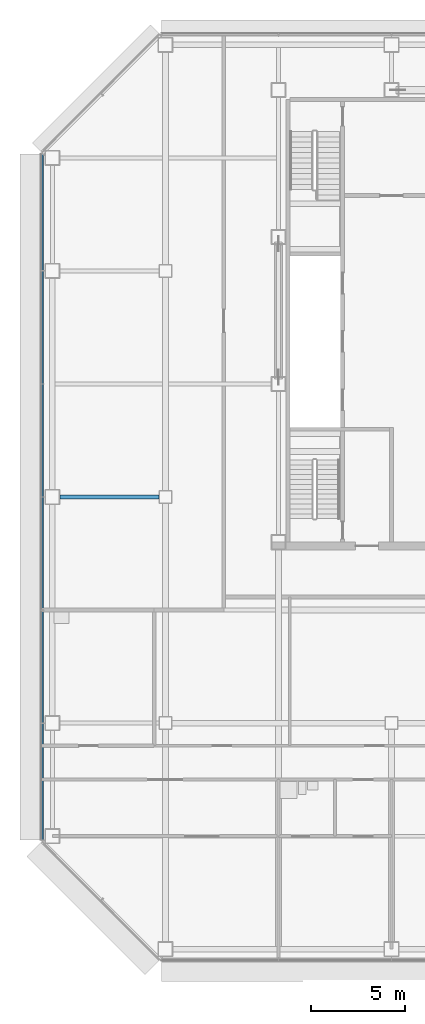
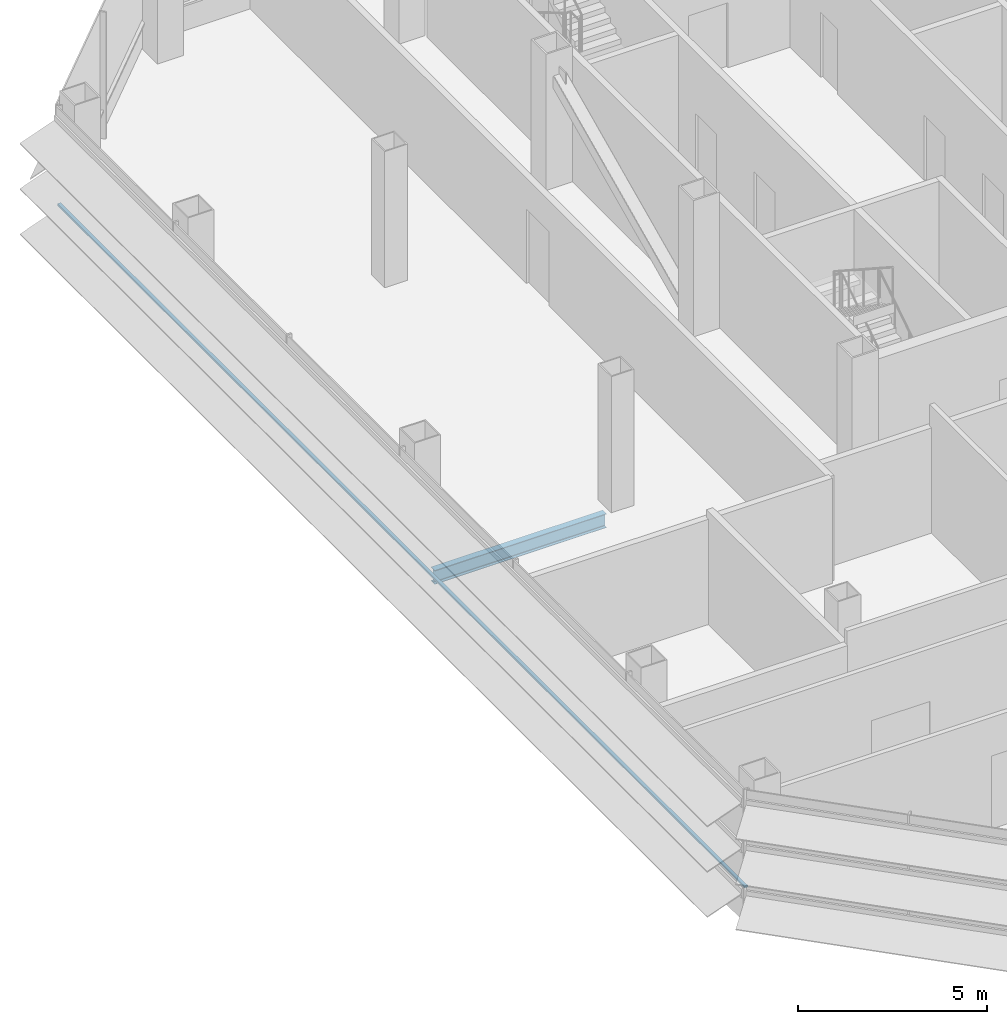
# One storey, part 6 of 28: 1 beam, 1 member, 1 element without a shape of its own.
"""IFC4 building model written with IfcOpenShell, lengths in metres."""

from ifc_helpers import new_model, si_unit, direction, frame, origin, origin_2d, place, context, subcontext, project, spatial, rectangle, i_section, extrude, material, material_profile, profile_set, type_object, element, aggregate, save


model = new_model("IFC4")

# Units and contexts
model_context = context("Model", 3, precision=1e-05, world=origin(), true_north=direction((0.0, 1.0)))
body_context = subcontext(model_context, "Body", "Model", "MODEL_VIEW")
ifc_project = project(units=[si_unit("LENGTHUNIT", "METRE"), si_unit("AREAUNIT", "SQUARE_METRE"), si_unit("VOLUMEUNIT", "CUBIC_METRE"), si_unit("PLANEANGLEUNIT", "RADIAN"), si_unit("MASSUNIT", "GRAM", prefix="KILO")], contexts=[model_context])

# Site, building, storey
site_placement = place(None, origin())
site = spatial("IfcSite", under=ifc_project, at=site_placement, CompositionType="ELEMENT")
building_placement = place(site_placement, origin())
building = spatial("IfcBuilding", under=site, at=building_placement, Name="Sorahane Residences", CompositionType="ELEMENT")
storey_placement = place(building_placement, frame((0.0, 0.0, 134.0)))
storey = spatial("IfcBuildingStorey", under=building, at=storey_placement, Name="L30", CompositionType="ELEMENT", Elevation=134.0)

# Curtain wall, member
ifc_material_1 = material(Name="Dark low-e glass and black anodised aluminium", Category="aluminium")
curtain_wall_type = type_object("IfcCurtainWallType", Name="Curtain wall CW-1 Typical unitised wall", PredefinedType="NOTDEFINED", material=ifc_material_1)
curtain_wall_placement = place(storey_placement, origin())
curtain_wall = element("IfcCurtainWall", 1, at=curtain_wall_placement, inside=storey, type_object=curtain_wall_type, Name="CW-1 curtain wall L30 W1", PredefinedType="NOTDEFINED")
ifc_material_2 = material(Name="Black anodised aluminium", Category="aluminium")
ifc_material_profile_1 = material_profile(ifc_material_2, rectangle(XDim=0.10009765625, YDim=0.06005859375, at=origin_2d()), Name="Curtain wall transom CW-1 black anodised aluminium 60x100")
ifc_profile_set_1 = profile_set([ifc_material_profile_1], Name="Black anodised aluminium")
member_type = type_object("IfcMemberType", Name="Curtain wall transom CW-1 black anodised aluminium 60x100", PredefinedType="USERDEFINED", material=ifc_profile_set_1)
member_placement = place(storey_placement, frame((-6.530029296875, 42.198486328125, 0.89990234375), z_axis=(0.0, -1.0, 0.0), x_axis=(1.0, 0.0, 0.0)))
member = element("IfcMember", 2, at=member_placement, type_object=member_type, Name="CW-1 transom L30 W1", ObjectType="TRANSOM", PredefinedType="USERDEFINED", context=body_context, shape_type="SweptSolid", body=[
    extrude(rectangle(XDim=0.10009765625, YDim=0.06005859375, at=origin_2d()), origin(), (0.0, 0.0, 1.0), 36.39697265625),
])
aggregate(curtain_wall, [member])

# Beam
ifc_material_3 = material(Name="Steel Q355B", Category="steel")
ifc_material_profile_2 = material_profile(ifc_material_3, i_section(OverallWidth=0.199951171875, OverallDepth=0.449951171875, WebThickness=0.009033203125, FlangeThickness=0.013916015625, FilletRadius=0.02001953125, at=origin_2d()), Name="HN 450x200x9x14")
ifc_profile_set_2 = profile_set([ifc_material_profile_2], Name="Steel Q355B")
beam_type = type_object("IfcBeamType", Name="Steel floor beam HN 450x200x9x14 Q355B", PredefinedType="BEAM", material=ifc_profile_set_2)
beam_placement = place(storey_placement, frame((-5.60009765625, 24.0, -0.405029296875), z_axis=(1.0, 0.0, 0.0), x_axis=(0.0, 1.0, 0.0)))
element("IfcBeam", 3, at=beam_placement, inside=storey, type_object=beam_type, Name="Beam L30 011", PredefinedType="BEAM", context=body_context, shape_type="SweptSolid", body=[
    extrude(i_section(OverallWidth=0.199951171875, OverallDepth=0.449951171875, WebThickness=0.009033203125, FlangeThickness=0.013916015625, FilletRadius=0.02001953125, at=origin_2d()), origin(), (0.0, 0.0, 1.0), 5.25),
])

save(model, "model.ifc")
